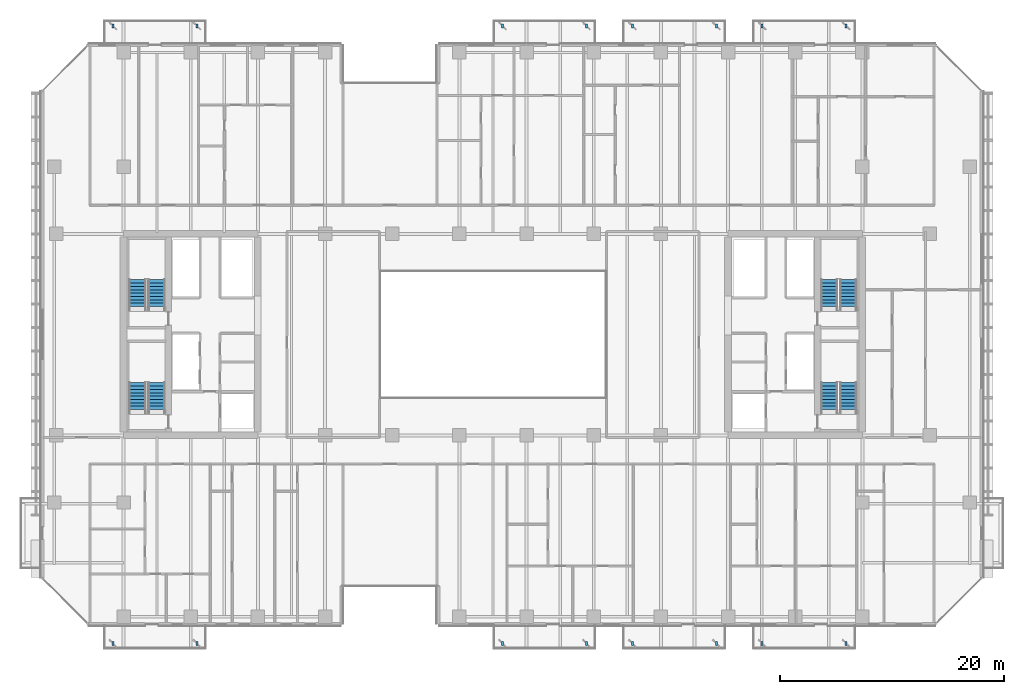
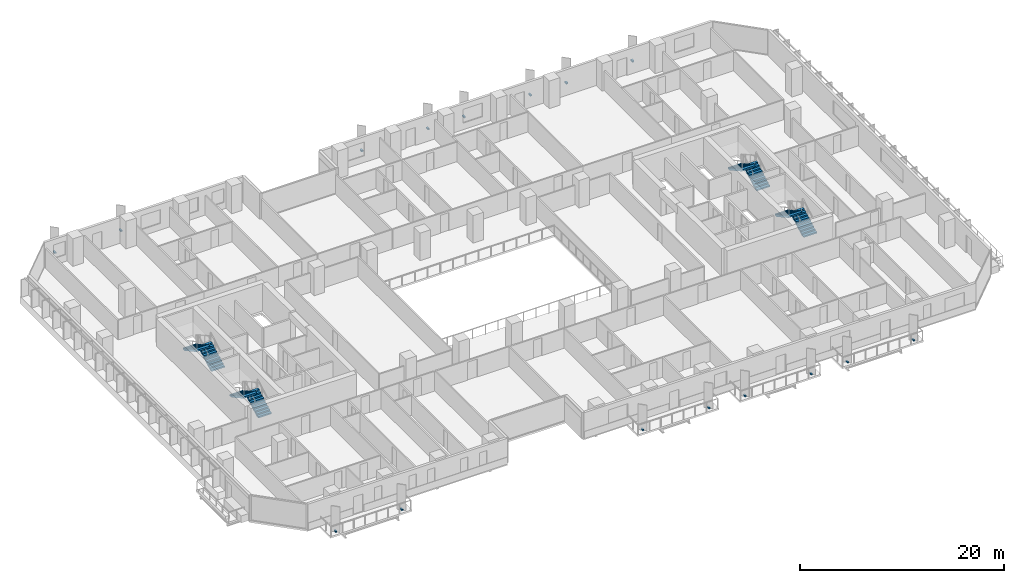
# One storey, part 24 of 33: 16 discrete accessories, 8 stair flights, 4 elements without a shape of their own.
"""IFC4 building model written with IfcOpenShell, lengths in metres."""

from ifc_helpers import new_model, si_unit, direction, frame, origin, origin_2d, place, context, subcontext, project, spatial, polyline, rectangle, outline, extrude, material, type_object, element, aggregate, save


model = new_model("IFC4")

# Units and contexts
model_context = context("Model", 3, precision=1e-05, world=origin(), true_north=direction((0.0, 1.0)))
body_context = subcontext(model_context, "Body", "Model", "MODEL_VIEW")
ifc_project = project(units=[si_unit("LENGTHUNIT", "METRE"), si_unit("AREAUNIT", "SQUARE_METRE"), si_unit("VOLUMEUNIT", "CUBIC_METRE"), si_unit("PLANEANGLEUNIT", "RADIAN"), si_unit("MASSUNIT", "GRAM", prefix="KILO")], contexts=[model_context])

# Site, building, storey
site_placement = place(None, origin())
site = spatial("IfcSite", under=ifc_project, at=site_placement, CompositionType="ELEMENT")
building_placement = place(site_placement, origin())
building = spatial("IfcBuilding", under=site, at=building_placement, Name="Tanjung Sevakor Pilgrim Tower", CompositionType="ELEMENT")
storey_placement = place(building_placement, frame((0.0, 0.0, 35.639892578125)))
storey = spatial("IfcBuildingStorey", under=building, at=storey_placement, Name="L09", CompositionType="ELEMENT", Elevation=35.639892578125)

# Stair, stair flights
ifc_material_1 = material(Name="Concrete C40/50", Category="concrete")
stair_type = type_object("IfcStairType", Name="STAIR-ST-CR150", PredefinedType="HALF_TURN_STAIR", material=ifc_material_1)
stair_1_placement = place(storey_placement, origin())
stair_1 = element("IfcStair", 1, at=stair_1_placement, inside=storey, type_object=stair_type, Name="L09 West Core Exit Stair 1", PredefinedType="HALF_TURN_STAIR")
ifc_material_2 = material(Name="Concrete C40/50", Category="concrete")
stair_flight_type = type_object("IfcStairFlightType", Name="FLIGHT-ST-CR150", PredefinedType="STRAIGHT", material=ifc_material_2)
stair_flight_1_placement = place(storey_placement, frame((26.949951171875, 26.60009765625, 0.0), z_axis=(0.0, 0.0, 1.0), x_axis=(0.0, 1.0, 0.0)))
stair_flight_1 = element("IfcStairFlight", 2, at=stair_flight_1_placement, type_object=stair_flight_type, Name="TS-W1 flight 1", NumberOfRisers=10, NumberOfTreads=9, PredefinedType="STRAIGHT", RiserHeight=0.165, TreadLength=0.3, context=body_context, shape_type="SweptSolid", body=[
    extrude(outline(polyline([(0.0, 0.0), (0.0, 0.1650390625), (0.300048828125, 0.1650390625), (0.300048828125, 0.330078125), (0.60009765625, 0.330078125), (0.60009765625, 0.4951171875), (0.89990234375, 0.4951171875), (0.89990234375, 0.659912109375), (1.199951171875, 0.659912109375), (1.199951171875, 0.824951171875), (1.5, 0.824951171875), (1.5, 0.989990234375), (1.800048828125, 0.989990234375), (1.800048828125, 1.155029296875), (2.10009765625, 1.155029296875), (2.10009765625, 1.320068359375), (2.39990234375, 1.320068359375), (2.39990234375, 1.485107421875), (2.699951171875, 1.485107421875), (2.699951171875, 1.64990234375), (2.699951171875, 1.302490234375), (0.331787109375, 0.0), (0.0, 0.0)])), frame((0.0, 0.75, 0.0), z_axis=(0.0, -1.0, 0.0), x_axis=(1.0, 0.0, 0.0)), (0.0, 0.0, 1.0), 1.5),
])
stair_flight_2_placement = place(storey_placement, frame((25.25, 29.300048828125, 1.650146484375), z_axis=(0.0, 0.0, 1.0), x_axis=(0.0, -1.0, 0.0)))
stair_flight_2 = element("IfcStairFlight", 3, at=stair_flight_2_placement, type_object=stair_flight_type, Name="TS-W1 flight 2", NumberOfRisers=10, NumberOfTreads=9, PredefinedType="STRAIGHT", RiserHeight=0.165, TreadLength=0.3, context=body_context, shape_type="SweptSolid", body=[
    extrude(outline(polyline([(0.0, 0.0), (0.0, 0.1650390625), (0.300048828125, 0.1650390625), (0.300048828125, 0.330078125), (0.60009765625, 0.330078125), (0.60009765625, 0.4951171875), (0.89990234375, 0.4951171875), (0.89990234375, 0.659912109375), (1.199951171875, 0.659912109375), (1.199951171875, 0.824951171875), (1.5, 0.824951171875), (1.5, 0.989990234375), (1.800048828125, 0.989990234375), (1.800048828125, 1.155029296875), (2.10009765625, 1.155029296875), (2.10009765625, 1.320068359375), (2.39990234375, 1.320068359375), (2.39990234375, 1.485107421875), (2.699951171875, 1.485107421875), (2.699951171875, 1.64990234375), (2.699951171875, 1.302490234375), (0.331787109375, 0.0), (0.0, 0.0)])), frame((0.0, 0.75, 0.0), z_axis=(0.0, -1.0, 0.0), x_axis=(1.0, 0.0, 0.0)), (0.0, 0.0, 1.0), 1.5),
])
aggregate(stair_1, [stair_flight_1, stair_flight_2])

stair_2_placement = place(storey_placement, origin())
stair_2 = element("IfcStair", 4, at=stair_2_placement, inside=storey, type_object=stair_type, Name="L09 West Core Exit Stair 2", PredefinedType="HALF_TURN_STAIR")
stair_flight_3_placement = place(storey_placement, frame((26.949951171875, 35.800048828125, 0.0), z_axis=(0.0, 0.0, 1.0), x_axis=(0.0, 1.0, 0.0)))
stair_flight_3 = element("IfcStairFlight", 5, at=stair_flight_3_placement, type_object=stair_flight_type, Name="TS-W2 flight 1", NumberOfRisers=10, NumberOfTreads=9, PredefinedType="STRAIGHT", RiserHeight=0.165, TreadLength=0.3, context=body_context, shape_type="SweptSolid", body=[
    extrude(outline(polyline([(0.0, 0.0), (0.0, 0.1650390625), (0.300048828125, 0.1650390625), (0.300048828125, 0.330078125), (0.60009765625, 0.330078125), (0.60009765625, 0.4951171875), (0.89990234375, 0.4951171875), (0.89990234375, 0.659912109375), (1.199951171875, 0.659912109375), (1.199951171875, 0.824951171875), (1.5, 0.824951171875), (1.5, 0.989990234375), (1.800048828125, 0.989990234375), (1.800048828125, 1.155029296875), (2.10009765625, 1.155029296875), (2.10009765625, 1.320068359375), (2.39990234375, 1.320068359375), (2.39990234375, 1.485107421875), (2.699951171875, 1.485107421875), (2.699951171875, 1.64990234375), (2.699951171875, 1.302490234375), (0.331787109375, 0.0), (0.0, 0.0)])), frame((0.0, 0.75, 0.0), z_axis=(0.0, -1.0, 0.0), x_axis=(1.0, 0.0, 0.0)), (0.0, 0.0, 1.0), 1.5),
])
stair_flight_4_placement = place(storey_placement, frame((25.25, 38.5, 1.650146484375), z_axis=(0.0, 0.0, 1.0), x_axis=(0.0, -1.0, 0.0)))
stair_flight_4 = element("IfcStairFlight", 6, at=stair_flight_4_placement, type_object=stair_flight_type, Name="TS-W2 flight 2", NumberOfRisers=10, NumberOfTreads=9, PredefinedType="STRAIGHT", RiserHeight=0.165, TreadLength=0.3, context=body_context, shape_type="SweptSolid", body=[
    extrude(outline(polyline([(0.0, 0.0), (0.0, 0.1650390625), (0.300048828125, 0.1650390625), (0.300048828125, 0.330078125), (0.60009765625, 0.330078125), (0.60009765625, 0.4951171875), (0.89990234375, 0.4951171875), (0.89990234375, 0.659912109375), (1.199951171875, 0.659912109375), (1.199951171875, 0.824951171875), (1.5, 0.824951171875), (1.5, 0.989990234375), (1.800048828125, 0.989990234375), (1.800048828125, 1.155029296875), (2.10009765625, 1.155029296875), (2.10009765625, 1.320068359375), (2.39990234375, 1.320068359375), (2.39990234375, 1.485107421875), (2.699951171875, 1.485107421875), (2.699951171875, 1.64990234375), (2.699951171875, 1.302490234375), (0.331787109375, 0.0), (0.0, 0.0)])), frame((0.0, 0.75, 0.0), z_axis=(0.0, -1.0, 0.0), x_axis=(1.0, 0.0, 0.0)), (0.0, 0.0, 1.0), 1.5),
])
aggregate(stair_2, [stair_flight_3, stair_flight_4])

stair_3_placement = place(storey_placement, origin())
stair_3 = element("IfcStair", 7, at=stair_3_placement, inside=storey, type_object=stair_type, Name="L09 East Core Exit Stair 1", PredefinedType="HALF_TURN_STAIR")
stair_flight_5_placement = place(storey_placement, frame((88.75, 26.60009765625, 0.0), z_axis=(0.0, 0.0, 1.0), x_axis=(0.0, 1.0, 0.0)))
stair_flight_5 = element("IfcStairFlight", 8, at=stair_flight_5_placement, type_object=stair_flight_type, Name="TS-E1 flight 1", NumberOfRisers=10, NumberOfTreads=9, PredefinedType="STRAIGHT", RiserHeight=0.165, TreadLength=0.3, context=body_context, shape_type="SweptSolid", body=[
    extrude(outline(polyline([(0.0, 0.0), (0.0, 0.1650390625), (0.300048828125, 0.1650390625), (0.300048828125, 0.330078125), (0.60009765625, 0.330078125), (0.60009765625, 0.4951171875), (0.89990234375, 0.4951171875), (0.89990234375, 0.659912109375), (1.199951171875, 0.659912109375), (1.199951171875, 0.824951171875), (1.5, 0.824951171875), (1.5, 0.989990234375), (1.800048828125, 0.989990234375), (1.800048828125, 1.155029296875), (2.10009765625, 1.155029296875), (2.10009765625, 1.320068359375), (2.39990234375, 1.320068359375), (2.39990234375, 1.485107421875), (2.699951171875, 1.485107421875), (2.699951171875, 1.64990234375), (2.699951171875, 1.302490234375), (0.331787109375, 0.0), (0.0, 0.0)])), frame((0.0, 0.75, 0.0), z_axis=(0.0, -1.0, 0.0), x_axis=(1.0, 0.0, 0.0)), (0.0, 0.0, 1.0), 1.5),
])
stair_flight_6_placement = place(storey_placement, frame((87.050048828125, 29.300048828125, 1.650146484375), z_axis=(0.0, 0.0, 1.0), x_axis=(0.0, -1.0, 0.0)))
stair_flight_6 = element("IfcStairFlight", 9, at=stair_flight_6_placement, type_object=stair_flight_type, Name="TS-E1 flight 2", NumberOfRisers=10, NumberOfTreads=9, PredefinedType="STRAIGHT", RiserHeight=0.165, TreadLength=0.3, context=body_context, shape_type="SweptSolid", body=[
    extrude(outline(polyline([(0.0, 0.0), (0.0, 0.1650390625), (0.300048828125, 0.1650390625), (0.300048828125, 0.330078125), (0.60009765625, 0.330078125), (0.60009765625, 0.4951171875), (0.89990234375, 0.4951171875), (0.89990234375, 0.659912109375), (1.199951171875, 0.659912109375), (1.199951171875, 0.824951171875), (1.5, 0.824951171875), (1.5, 0.989990234375), (1.800048828125, 0.989990234375), (1.800048828125, 1.155029296875), (2.10009765625, 1.155029296875), (2.10009765625, 1.320068359375), (2.39990234375, 1.320068359375), (2.39990234375, 1.485107421875), (2.699951171875, 1.485107421875), (2.699951171875, 1.64990234375), (2.699951171875, 1.302490234375), (0.331787109375, 0.0), (0.0, 0.0)])), frame((0.0, 0.75, 0.0), z_axis=(0.0, -1.0, 0.0), x_axis=(1.0, 0.0, 0.0)), (0.0, 0.0, 1.0), 1.5),
])
aggregate(stair_3, [stair_flight_5, stair_flight_6])

stair_4_placement = place(storey_placement, origin())
stair_4 = element("IfcStair", 10, at=stair_4_placement, inside=storey, type_object=stair_type, Name="L09 East Core Exit Stair 2", PredefinedType="HALF_TURN_STAIR")
stair_flight_7_placement = place(storey_placement, frame((88.75, 35.800048828125, 0.0), z_axis=(0.0, 0.0, 1.0), x_axis=(0.0, 1.0, 0.0)))
stair_flight_7 = element("IfcStairFlight", 11, at=stair_flight_7_placement, type_object=stair_flight_type, Name="TS-E2 flight 1", NumberOfRisers=10, NumberOfTreads=9, PredefinedType="STRAIGHT", RiserHeight=0.165, TreadLength=0.3, context=body_context, shape_type="SweptSolid", body=[
    extrude(outline(polyline([(0.0, 0.0), (0.0, 0.1650390625), (0.300048828125, 0.1650390625), (0.300048828125, 0.330078125), (0.60009765625, 0.330078125), (0.60009765625, 0.4951171875), (0.89990234375, 0.4951171875), (0.89990234375, 0.659912109375), (1.199951171875, 0.659912109375), (1.199951171875, 0.824951171875), (1.5, 0.824951171875), (1.5, 0.989990234375), (1.800048828125, 0.989990234375), (1.800048828125, 1.155029296875), (2.10009765625, 1.155029296875), (2.10009765625, 1.320068359375), (2.39990234375, 1.320068359375), (2.39990234375, 1.485107421875), (2.699951171875, 1.485107421875), (2.699951171875, 1.64990234375), (2.699951171875, 1.302490234375), (0.331787109375, 0.0), (0.0, 0.0)])), frame((0.0, 0.75, 0.0), z_axis=(0.0, -1.0, 0.0), x_axis=(1.0, 0.0, 0.0)), (0.0, 0.0, 1.0), 1.5),
])
stair_flight_8_placement = place(storey_placement, frame((87.050048828125, 38.5, 1.650146484375), z_axis=(0.0, 0.0, 1.0), x_axis=(0.0, -1.0, 0.0)))
stair_flight_8 = element("IfcStairFlight", 12, at=stair_flight_8_placement, type_object=stair_flight_type, Name="TS-E2 flight 2", NumberOfRisers=10, NumberOfTreads=9, PredefinedType="STRAIGHT", RiserHeight=0.165, TreadLength=0.3, context=body_context, shape_type="SweptSolid", body=[
    extrude(outline(polyline([(0.0, 0.0), (0.0, 0.1650390625), (0.300048828125, 0.1650390625), (0.300048828125, 0.330078125), (0.60009765625, 0.330078125), (0.60009765625, 0.4951171875), (0.89990234375, 0.4951171875), (0.89990234375, 0.659912109375), (1.199951171875, 0.659912109375), (1.199951171875, 0.824951171875), (1.5, 0.824951171875), (1.5, 0.989990234375), (1.800048828125, 0.989990234375), (1.800048828125, 1.155029296875), (2.10009765625, 1.155029296875), (2.10009765625, 1.320068359375), (2.39990234375, 1.320068359375), (2.39990234375, 1.485107421875), (2.699951171875, 1.485107421875), (2.699951171875, 1.64990234375), (2.699951171875, 1.302490234375), (0.331787109375, 0.0), (0.0, 0.0)])), frame((0.0, 0.75, 0.0), z_axis=(0.0, -1.0, 0.0), x_axis=(1.0, 0.0, 0.0)), (0.0, 0.0, 1.0), 1.5),
])
aggregate(stair_4, [stair_flight_7, stair_flight_8])

# Discrete accessories
ifc_material_3 = material(Name="Steel S355J2", Category="steel")
discrete_accessory_type = type_object("IfcDiscreteAccessoryType", Name="ACC-BRACKET-STL", PredefinedType="BRACKET", material=ifc_material_3)
for number, where, z_axis, x_axis, name in (
    (13, (23.050048828125, 6.02001953125, -0.0400390625), (0.0, 0.0, 1.0), (1.0, 0.0, 0.0), "L09 Fin Support Bracket 0001"),
    (14, (30.550048828125, 6.02001953125, -0.0400390625), (0.0, 0.0, 1.0), (1.0, 0.0, 0.0), "L09 Fin Support Bracket 0002"),
    (15, (23.050048828125, 61.179931640625, -0.0400390625), (0.0, 0.0, 1.0), (1.0, 0.0, 0.0), "L09 Fin Support Bracket 0003"),
    (16, (30.550048828125, 61.179931640625, -0.0400390625), (0.0, 0.0, 1.0), (1.0, 0.0, 0.0), "L09 Fin Support Bracket 0004"),
    (17, (57.85009765625, 6.02001953125, -0.0400390625), (0.0, 0.0, 1.0), (1.0, 0.0, 0.0), "L09 Fin Support Bracket 0005"),
    (18, (65.35009765625, 6.02001953125, -0.0400390625), (0.0, 0.0, 1.0), (1.0, 0.0, 0.0), "L09 Fin Support Bracket 0006"),
    (19, (57.85009765625, 61.179931640625, -0.0400390625), (0.0, 0.0, 1.0), (1.0, 0.0, 0.0), "L09 Fin Support Bracket 0007"),
    (20, (65.35009765625, 61.179931640625, -0.0400390625), (0.0, 0.0, 1.0), (1.0, 0.0, 0.0), "L09 Fin Support Bracket 0008"),
    (21, (69.449951171875, 6.02001953125, -0.0400390625), (0.0, 0.0, 1.0), (1.0, 0.0, 0.0), "L09 Fin Support Bracket 0009"),
    (22, (76.949951171875, 6.02001953125, -0.0400390625), (0.0, 0.0, 1.0), (1.0, 0.0, 0.0), "L09 Fin Support Bracket 0010"),
    (23, (69.449951171875, 61.179931640625, -0.0400390625), (0.0, 0.0, 1.0), (1.0, 0.0, 0.0), "L09 Fin Support Bracket 0011"),
    (24, (76.949951171875, 61.179931640625, -0.0400390625), (0.0, 0.0, 1.0), (1.0, 0.0, 0.0), "L09 Fin Support Bracket 0012"),
    (25, (81.050048828125, 6.02001953125, -0.0400390625), (0.0, 0.0, 1.0), (1.0, 0.0, 0.0), "L09 Fin Support Bracket 0013"),
    (26, (88.550048828125, 6.02001953125, -0.0400390625), (0.0, 0.0, 1.0), (1.0, 0.0, 0.0), "L09 Fin Support Bracket 0014"),
    (27, (81.050048828125, 61.179931640625, -0.0400390625), (0.0, 0.0, 1.0), (1.0, 0.0, 0.0), "L09 Fin Support Bracket 0015"),
    (28, (88.550048828125, 61.179931640625, -0.0400390625), (0.0, 0.0, 1.0), (1.0, 0.0, 0.0), "L09 Fin Support Bracket 0016"),
):
    element("IfcDiscreteAccessory", number, at=place(storey_placement, frame(where, z_axis=z_axis, x_axis=x_axis)), inside=storey, type_object=discrete_accessory_type, Name=name, PredefinedType="BRACKET", context=body_context, shape_type="SweptSolid", body=[
        extrude(rectangle(XDim=0.179931640625, YDim=0.360107421875, at=origin_2d()), origin(), (0.0, 0.0, 1.0), 0.179931640625),
    ])

save(model, "model.ifc")
